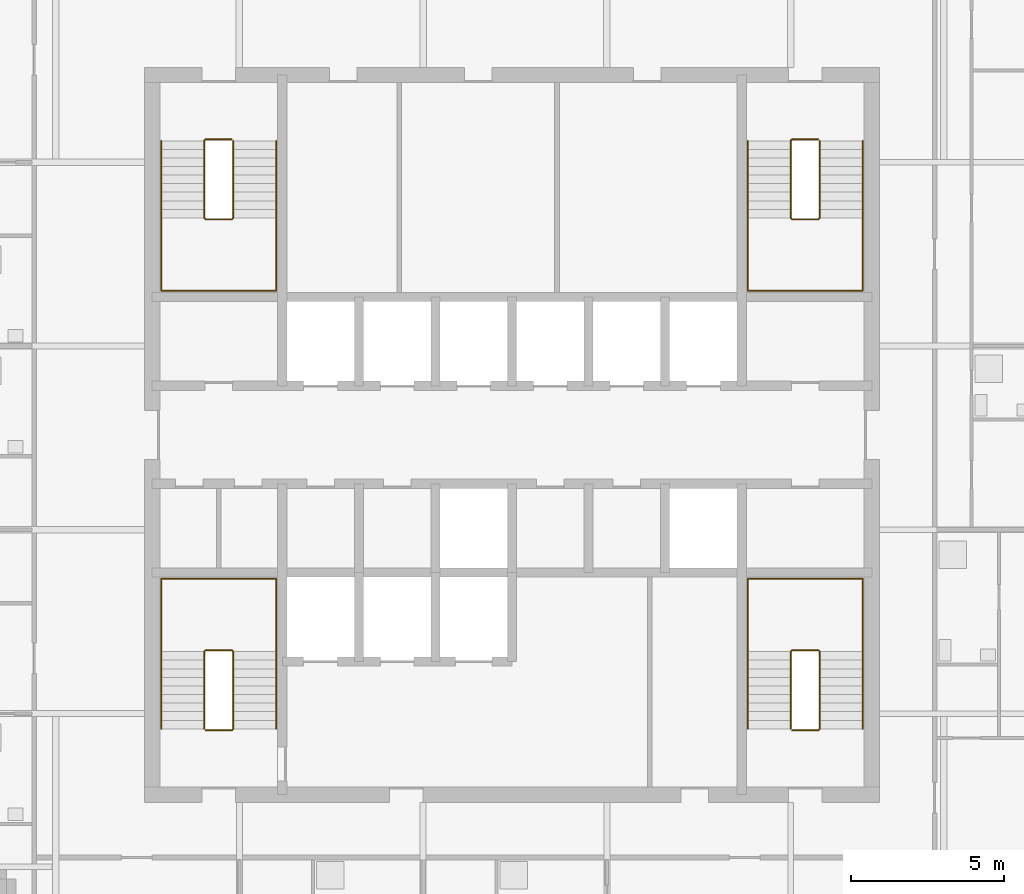
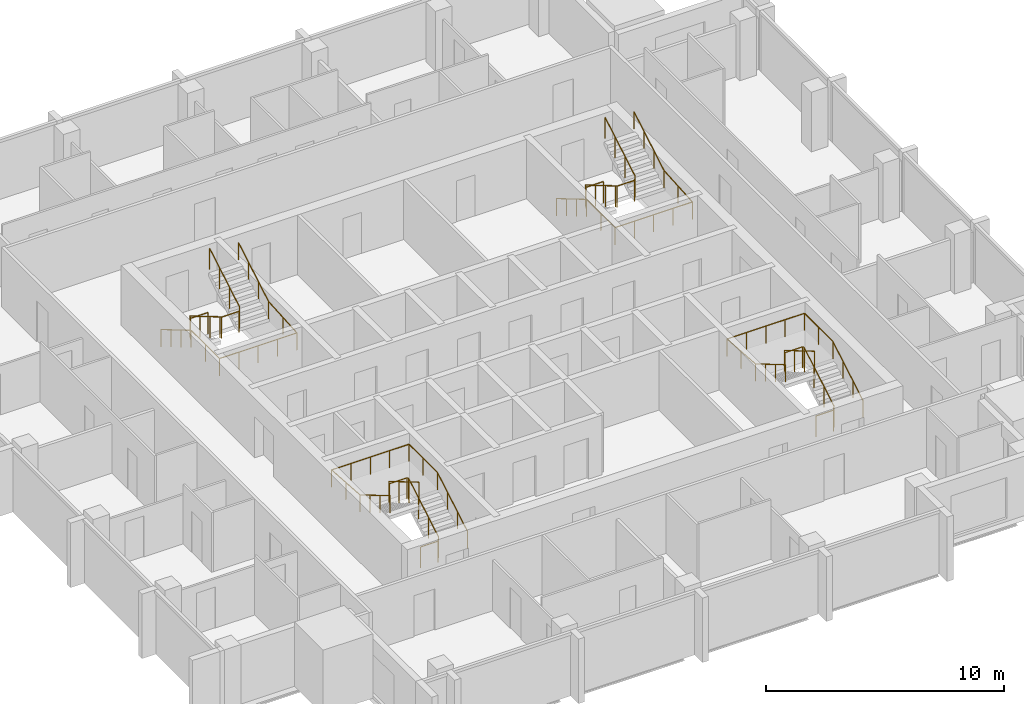
# One storey, part 8 of 9: 8 railings.
"""IFC4 building model written with IfcOpenShell, lengths in metres."""

from ifc_helpers import new_model, si_unit, direction, frame, origin, origin_2d, place, context, subcontext, project, spatial, circle, extrude, material, type_object, element, save


model = new_model("IFC4")

# Units and contexts
model_context = context("Model", 3, precision=1e-05, world=origin(), true_north=direction((0.0, 1.0)))
body_context = subcontext(model_context, "Body", "Model", "MODEL_VIEW")
ifc_project = project(units=[si_unit("LENGTHUNIT", "METRE"), si_unit("AREAUNIT", "SQUARE_METRE"), si_unit("VOLUMEUNIT", "CUBIC_METRE"), si_unit("PLANEANGLEUNIT", "RADIAN"), si_unit("MASSUNIT", "GRAM", prefix="KILO")], contexts=[model_context])

# Site, building, storey
site_placement = place(None, origin())
site = spatial("IfcSite", under=ifc_project, at=site_placement, CompositionType="ELEMENT")
building_placement = place(site_placement, origin())
building = spatial("IfcBuilding", under=site, at=building_placement, Name="Amberfall Residences", CompositionType="ELEMENT")
storey_placement = place(building_placement, frame((0.0, 0.0, 252.10009765625)))
storey = spatial("IfcBuildingStorey", under=building, at=storey_placement, Name="L67", CompositionType="ELEMENT", Elevation=252.10009765625)

# Railings
ifc_material = material(Name="Stainless steel 316", Category="steel")
railing_type_1 = type_object("IfcRailingType", Name="Stair guard 1100", PredefinedType="GUARDRAIL", material=ifc_material)
railing_1_placement = place(storey_placement, frame((64.5, 35.85009765625, 0.0)))
element("IfcRailing", 1, at=railing_1_placement, inside=storey, type_object=railing_type_1, Name="L67 stair 1 guard", PredefinedType="GUARDRAIL", context=body_context, shape_type="SweptSolid", body=[
    extrude(circle(Radius=0.02392578125, at=origin_2d()), frame((0.0, 0.0, 1.076171875), z_axis=(1.0, 0.0, 0.0), x_axis=(0.0, 1.0, 0.0)), (0.0, 0.0, 1.0), 0.85009765625),
    extrude(circle(Radius=0.02392578125, at=origin_2d()), frame((0.85009765625, 0.0, 1.076171875), z_axis=(0.277903107438, 0.277903107438, 0.919532340787), x_axis=(-0.707106781187, 0.707106781187, 0.0)), (0.0, 0.0, 1.0), 0.17919921875),
    extrude(circle(Radius=0.02392578125, at=origin_2d()), frame((0.89990234375, 0.0498046875, 1.24072265625), z_axis=(0.0, 0.86152411907, 0.507716645641), x_axis=(-1.0, 0.0, 0.0)), (0.0, 0.0, 1.0), 2.925048828125),
    extrude(circle(Radius=0.02392578125, at=origin_2d()), frame((0.89990234375, 2.56982421875, 2.72607421875), z_axis=(-0.705375805398, 0.708833529934, 0.0), x_axis=(-0.708833529934, -0.705375805398, 0.0)), (0.0, 0.0, 1.0), 0.070556640625),
    extrude(circle(Radius=0.02392578125, at=origin_2d()), frame((0.85009765625, 2.619873046875, 2.72607421875), z_axis=(-1.0, 0.0, 0.0), x_axis=(0.0, -1.0, 0.0)), (0.0, 0.0, 1.0), 0.85009765625),
    extrude(circle(Radius=0.02392578125, at=origin_2d()), frame((0.0, 2.619873046875, 2.72607421875), z_axis=(-0.278705021027, -0.278705021027, 0.919046801044), x_axis=(0.707106781187, -0.707106781187, 0.0)), (0.0, 0.0, 1.0), 0.1796875),
    extrude(circle(Radius=0.02392578125, at=origin_2d()), frame((-0.050048828125, 2.56982421875, 2.89111328125), z_axis=(0.0, -0.861560626758, 0.507654692109), x_axis=(1.0, 0.0, 0.0)), (0.0, 0.0, 1.0), 2.925048828125),
    extrude(circle(Radius=0.02099609375, at=origin_2d()), origin(), (0.0, 0.0, 1.0), 1.052001953125),
    extrude(circle(Radius=0.02099609375, at=origin_2d()), frame((0.85009765625, 0.0, 0.0)), (0.0, 0.0, 1.0), 1.052001953125),
    extrude(circle(Radius=0.02099609375, at=origin_2d()), frame((0.89990234375, 0.0498046875, 0.164794921875)), (0.0, 0.0, 1.0), 1.052001953125),
    extrude(circle(Radius=0.02099609375, at=origin_2d()), frame((0.89990234375, 0.889892578125, 0.659912109375)), (0.0, 0.0, 1.0), 1.052001953125),
    extrude(circle(Radius=0.02099609375, at=origin_2d()), frame((0.89990234375, 1.729736328125, 1.15478515625)), (0.0, 0.0, 1.0), 1.052001953125),
    extrude(circle(Radius=0.02099609375, at=origin_2d()), frame((0.89990234375, 2.56982421875, 1.64990234375)), (0.0, 0.0, 1.0), 1.052001953125),
    extrude(circle(Radius=0.02099609375, at=origin_2d()), frame((0.85009765625, 2.619873046875, 1.64990234375)), (0.0, 0.0, 1.0), 1.052001953125),
    extrude(circle(Radius=0.02099609375, at=origin_2d()), frame((0.0, 2.619873046875, 1.64990234375)), (0.0, 0.0, 1.0), 1.052001953125),
    extrude(circle(Radius=0.02099609375, at=origin_2d()), frame((-0.050048828125, 2.56982421875, 1.81494140625)), (0.0, 0.0, 1.0), 1.052001953125),
    extrude(circle(Radius=0.02099609375, at=origin_2d()), frame((-0.050048828125, 1.729736328125, 2.309814453125)), (0.0, 0.0, 1.0), 1.052001953125),
    extrude(circle(Radius=0.02099609375, at=origin_2d()), frame((-0.050048828125, 0.889892578125, 2.804931640625)), (0.0, 0.0, 1.0), 1.052001953125),
    extrude(circle(Radius=0.02099609375, at=origin_2d()), frame((-0.050048828125, 0.0498046875, 3.2998046875)), (0.0, 0.0, 1.0), 1.052001953125),
])
railing_2_placement = place(storey_placement, frame((83.64990234375, 35.85009765625, 0.0)))
element("IfcRailing", 2, at=railing_2_placement, inside=storey, type_object=railing_type_1, Name="L67 stair 2 guard", PredefinedType="GUARDRAIL", context=body_context, shape_type="SweptSolid", body=[
    extrude(circle(Radius=0.02392578125, at=origin_2d()), frame((0.0, 0.0, 1.076171875), z_axis=(1.0, 0.0, 0.0), x_axis=(0.0, 1.0, 0.0)), (0.0, 0.0, 1.0), 0.85009765625),
    extrude(circle(Radius=0.02392578125, at=origin_2d()), frame((0.85009765625, 0.0, 1.076171875), z_axis=(0.279159454702, 0.277797701265, 0.919183570361), x_axis=(-0.705375805398, 0.708833529934, 0.0)), (0.0, 0.0, 1.0), 0.17919921875),
    extrude(circle(Radius=0.02392578125, at=origin_2d()), frame((0.900146484375, 0.0498046875, 1.24072265625), z_axis=(0.0, 0.86152411907, 0.507716645641), x_axis=(-1.0, 0.0, 0.0)), (0.0, 0.0, 1.0), 2.925048828125),
    extrude(circle(Radius=0.02392578125, at=origin_2d()), frame((0.900146484375, 2.56982421875, 2.72607421875), z_axis=(-0.707106781187, 0.707106781187, 0.0), x_axis=(-0.707106781187, -0.707106781187, 0.0)), (0.0, 0.0, 1.0), 0.07080078125),
    extrude(circle(Radius=0.02392578125, at=origin_2d()), frame((0.85009765625, 2.619873046875, 2.72607421875), z_axis=(-1.0, 0.0, 0.0), x_axis=(0.0, -1.0, 0.0)), (0.0, 0.0, 1.0), 0.85009765625),
    extrude(circle(Radius=0.02392578125, at=origin_2d()), frame((0.0, 2.619873046875, 2.72607421875), z_axis=(-0.277450376394, -0.278810427259, 0.919394384522), x_axis=(0.708833529934, -0.705375805398, 0.0)), (0.0, 0.0, 1.0), 0.179443359375),
    extrude(circle(Radius=0.02392578125, at=origin_2d()), frame((-0.0498046875, 2.56982421875, 2.89111328125), z_axis=(0.0, -0.861560626758, 0.507654692109), x_axis=(1.0, 0.0, 0.0)), (0.0, 0.0, 1.0), 2.925048828125),
    extrude(circle(Radius=0.02099609375, at=origin_2d()), origin(), (0.0, 0.0, 1.0), 1.052001953125),
    extrude(circle(Radius=0.02099609375, at=origin_2d()), frame((0.85009765625, 0.0, 0.0)), (0.0, 0.0, 1.0), 1.052001953125),
    extrude(circle(Radius=0.02099609375, at=origin_2d()), frame((0.900146484375, 0.0498046875, 0.164794921875)), (0.0, 0.0, 1.0), 1.052001953125),
    extrude(circle(Radius=0.02099609375, at=origin_2d()), frame((0.900146484375, 0.889892578125, 0.659912109375)), (0.0, 0.0, 1.0), 1.052001953125),
    extrude(circle(Radius=0.02099609375, at=origin_2d()), frame((0.900146484375, 1.729736328125, 1.15478515625)), (0.0, 0.0, 1.0), 1.052001953125),
    extrude(circle(Radius=0.02099609375, at=origin_2d()), frame((0.900146484375, 2.56982421875, 1.64990234375)), (0.0, 0.0, 1.0), 1.052001953125),
    extrude(circle(Radius=0.02099609375, at=origin_2d()), frame((0.85009765625, 2.619873046875, 1.64990234375)), (0.0, 0.0, 1.0), 1.052001953125),
    extrude(circle(Radius=0.02099609375, at=origin_2d()), frame((0.0, 2.619873046875, 1.64990234375)), (0.0, 0.0, 1.0), 1.052001953125),
    extrude(circle(Radius=0.02099609375, at=origin_2d()), frame((-0.0498046875, 2.56982421875, 1.81494140625)), (0.0, 0.0, 1.0), 1.052001953125),
    extrude(circle(Radius=0.02099609375, at=origin_2d()), frame((-0.0498046875, 1.729736328125, 2.309814453125)), (0.0, 0.0, 1.0), 1.052001953125),
    extrude(circle(Radius=0.02099609375, at=origin_2d()), frame((-0.0498046875, 0.889892578125, 2.804931640625)), (0.0, 0.0, 1.0), 1.052001953125),
    extrude(circle(Radius=0.02099609375, at=origin_2d()), frame((-0.0498046875, 0.0498046875, 3.2998046875)), (0.0, 0.0, 1.0), 1.052001953125),
])
railing_3_placement = place(storey_placement, frame((84.5, 55.14990234375, 0.0)))
element("IfcRailing", 3, at=railing_3_placement, inside=storey, type_object=railing_type_1, Name="L67 stair 3 guard", PredefinedType="GUARDRAIL", context=body_context, shape_type="SweptSolid", body=[
    extrude(circle(Radius=0.02392578125, at=origin_2d()), frame((0.0, 0.0, 1.076171875), z_axis=(-1.0, 0.0, 0.0), x_axis=(0.0, -1.0, 0.0)), (0.0, 0.0, 1.0), 0.85009765625),
    extrude(circle(Radius=0.02392578125, at=origin_2d()), frame((-0.85009765625, 0.0, 1.076171875), z_axis=(-0.277903107438, -0.277903107438, 0.919532340787), x_axis=(0.707106781187, -0.707106781187, 0.0)), (0.0, 0.0, 1.0), 0.17919921875),
    extrude(circle(Radius=0.02392578125, at=origin_2d()), frame((-0.89990234375, -0.0498046875, 1.24072265625), z_axis=(0.0, -0.86152411907, 0.507716645641), x_axis=(1.0, 0.0, 0.0)), (0.0, 0.0, 1.0), 2.925048828125),
    extrude(circle(Radius=0.02392578125, at=origin_2d()), frame((-0.89990234375, -2.56982421875, 2.72607421875), z_axis=(0.705375805398, -0.708833529934, 0.0), x_axis=(0.708833529934, 0.705375805398, 0.0)), (0.0, 0.0, 1.0), 0.070556640625),
    extrude(circle(Radius=0.02392578125, at=origin_2d()), frame((-0.85009765625, -2.619873046875, 2.72607421875), z_axis=(1.0, 0.0, 0.0), x_axis=(0.0, 1.0, 0.0)), (0.0, 0.0, 1.0), 0.85009765625),
    extrude(circle(Radius=0.02392578125, at=origin_2d()), frame((0.0, -2.619873046875, 2.72607421875), z_axis=(0.278705021027, 0.278705021027, 0.919046801044), x_axis=(-0.707106781187, 0.707106781187, 0.0)), (0.0, 0.0, 1.0), 0.1796875),
    extrude(circle(Radius=0.02392578125, at=origin_2d()), frame((0.050048828125, -2.56982421875, 2.89111328125), z_axis=(0.0, 0.861560626758, 0.507654692109), x_axis=(-1.0, 0.0, 0.0)), (0.0, 0.0, 1.0), 2.925048828125),
    extrude(circle(Radius=0.02099609375, at=origin_2d()), origin(), (0.0, 0.0, 1.0), 1.052001953125),
    extrude(circle(Radius=0.02099609375, at=origin_2d()), frame((-0.85009765625, 0.0, 0.0)), (0.0, 0.0, 1.0), 1.052001953125),
    extrude(circle(Radius=0.02099609375, at=origin_2d()), frame((-0.89990234375, -0.0498046875, 0.164794921875)), (0.0, 0.0, 1.0), 1.052001953125),
    extrude(circle(Radius=0.02099609375, at=origin_2d()), frame((-0.89990234375, -0.889892578125, 0.659912109375)), (0.0, 0.0, 1.0), 1.052001953125),
    extrude(circle(Radius=0.02099609375, at=origin_2d()), frame((-0.89990234375, -1.729736328125, 1.15478515625)), (0.0, 0.0, 1.0), 1.052001953125),
    extrude(circle(Radius=0.02099609375, at=origin_2d()), frame((-0.89990234375, -2.56982421875, 1.64990234375)), (0.0, 0.0, 1.0), 1.052001953125),
    extrude(circle(Radius=0.02099609375, at=origin_2d()), frame((-0.85009765625, -2.619873046875, 1.64990234375)), (0.0, 0.0, 1.0), 1.052001953125),
    extrude(circle(Radius=0.02099609375, at=origin_2d()), frame((0.0, -2.619873046875, 1.64990234375)), (0.0, 0.0, 1.0), 1.052001953125),
    extrude(circle(Radius=0.02099609375, at=origin_2d()), frame((0.050048828125, -2.56982421875, 1.81494140625)), (0.0, 0.0, 1.0), 1.052001953125),
    extrude(circle(Radius=0.02099609375, at=origin_2d()), frame((0.050048828125, -1.729736328125, 2.309814453125)), (0.0, 0.0, 1.0), 1.052001953125),
    extrude(circle(Radius=0.02099609375, at=origin_2d()), frame((0.050048828125, -0.889892578125, 2.804931640625)), (0.0, 0.0, 1.0), 1.052001953125),
    extrude(circle(Radius=0.02099609375, at=origin_2d()), frame((0.050048828125, -0.0498046875, 3.2998046875)), (0.0, 0.0, 1.0), 1.052001953125),
])
railing_4_placement = place(storey_placement, frame((65.35009765625, 55.14990234375, 0.0)))
element("IfcRailing", 4, at=railing_4_placement, inside=storey, type_object=railing_type_1, Name="L67 stair 4 guard", PredefinedType="GUARDRAIL", context=body_context, shape_type="SweptSolid", body=[
    extrude(circle(Radius=0.02392578125, at=origin_2d()), frame((0.0, 0.0, 1.076171875), z_axis=(-1.0, 0.0, 0.0), x_axis=(0.0, -1.0, 0.0)), (0.0, 0.0, 1.0), 0.85009765625),
    extrude(circle(Radius=0.02392578125, at=origin_2d()), frame((-0.85009765625, 0.0, 1.076171875), z_axis=(-0.279159454702, -0.277797701265, 0.919183570361), x_axis=(0.705375805398, -0.708833529934, 0.0)), (0.0, 0.0, 1.0), 0.17919921875),
    extrude(circle(Radius=0.02392578125, at=origin_2d()), frame((-0.900146484375, -0.0498046875, 1.24072265625), z_axis=(0.0, -0.86152411907, 0.507716645641), x_axis=(1.0, 0.0, 0.0)), (0.0, 0.0, 1.0), 2.925048828125),
    extrude(circle(Radius=0.02392578125, at=origin_2d()), frame((-0.900146484375, -2.56982421875, 2.72607421875), z_axis=(0.707106781187, -0.707106781187, 0.0), x_axis=(0.707106781187, 0.707106781187, 0.0)), (0.0, 0.0, 1.0), 0.07080078125),
    extrude(circle(Radius=0.02392578125, at=origin_2d()), frame((-0.85009765625, -2.619873046875, 2.72607421875), z_axis=(1.0, 0.0, 0.0), x_axis=(0.0, 1.0, 0.0)), (0.0, 0.0, 1.0), 0.85009765625),
    extrude(circle(Radius=0.02392578125, at=origin_2d()), frame((0.0, -2.619873046875, 2.72607421875), z_axis=(0.277450376394, 0.278810427259, 0.919394384522), x_axis=(-0.708833529934, 0.705375805398, 0.0)), (0.0, 0.0, 1.0), 0.179443359375),
    extrude(circle(Radius=0.02392578125, at=origin_2d()), frame((0.0498046875, -2.56982421875, 2.89111328125), z_axis=(0.0, 0.861560626758, 0.507654692109), x_axis=(-1.0, 0.0, 0.0)), (0.0, 0.0, 1.0), 2.925048828125),
    extrude(circle(Radius=0.02099609375, at=origin_2d()), origin(), (0.0, 0.0, 1.0), 1.052001953125),
    extrude(circle(Radius=0.02099609375, at=origin_2d()), frame((-0.85009765625, 0.0, 0.0)), (0.0, 0.0, 1.0), 1.052001953125),
    extrude(circle(Radius=0.02099609375, at=origin_2d()), frame((-0.900146484375, -0.0498046875, 0.164794921875)), (0.0, 0.0, 1.0), 1.052001953125),
    extrude(circle(Radius=0.02099609375, at=origin_2d()), frame((-0.900146484375, -0.889892578125, 0.659912109375)), (0.0, 0.0, 1.0), 1.052001953125),
    extrude(circle(Radius=0.02099609375, at=origin_2d()), frame((-0.900146484375, -1.729736328125, 1.15478515625)), (0.0, 0.0, 1.0), 1.052001953125),
    extrude(circle(Radius=0.02099609375, at=origin_2d()), frame((-0.900146484375, -2.56982421875, 1.64990234375)), (0.0, 0.0, 1.0), 1.052001953125),
    extrude(circle(Radius=0.02099609375, at=origin_2d()), frame((-0.85009765625, -2.619873046875, 1.64990234375)), (0.0, 0.0, 1.0), 1.052001953125),
    extrude(circle(Radius=0.02099609375, at=origin_2d()), frame((0.0, -2.619873046875, 1.64990234375)), (0.0, 0.0, 1.0), 1.052001953125),
    extrude(circle(Radius=0.02099609375, at=origin_2d()), frame((0.0498046875, -2.56982421875, 1.81494140625)), (0.0, 0.0, 1.0), 1.052001953125),
    extrude(circle(Radius=0.02099609375, at=origin_2d()), frame((0.0498046875, -1.729736328125, 2.309814453125)), (0.0, 0.0, 1.0), 1.052001953125),
    extrude(circle(Radius=0.02099609375, at=origin_2d()), frame((0.0498046875, -0.889892578125, 2.804931640625)), (0.0, 0.0, 1.0), 1.052001953125),
    extrude(circle(Radius=0.02099609375, at=origin_2d()), frame((0.0498046875, -0.0498046875, 3.2998046875)), (0.0, 0.0, 1.0), 1.052001953125),
])
railing_type_2 = type_object("IfcRailingType", Name="Stair handrail 900", PredefinedType="HANDRAIL", material=ifc_material)
railing_5_placement = place(storey_placement, frame((66.800048828125, 35.89990234375, 0.164794921875)))
element("IfcRailing", 5, at=railing_5_placement, inside=storey, type_object=railing_type_2, Name="L67 stair 1 handrail", PredefinedType="HANDRAIL", context=body_context, shape_type="SweptSolid", body=[
    extrude(circle(Radius=0.02392578125, at=origin_2d()), frame((0.0, 0.0, 0.8759765625), z_axis=(0.0, 0.86152411907, 0.507716645641), x_axis=(-1.0, 0.0, 0.0)), (0.0, 0.0, 1.0), 2.925048828125),
    extrude(circle(Radius=0.02392578125, at=origin_2d()), frame((0.0, 2.52001953125, 2.36083984375), z_axis=(0.0, 1.0, 0.0), x_axis=(-1.0, 0.0, 0.0)), (0.0, 0.0, 1.0), 2.380126953125),
    extrude(circle(Radius=0.02392578125, at=origin_2d()), frame((0.0, 4.900146484375, 2.36083984375), z_axis=(-1.0, 0.0, 0.0), x_axis=(0.0, -1.0, 0.0)), (0.0, 0.0, 1.0), 3.75),
    extrude(circle(Radius=0.02392578125, at=origin_2d()), frame((-3.75, 4.900146484375, 2.36083984375), z_axis=(0.0, -0.997604585917, 0.069174346095), x_axis=(1.0, 0.0, 0.0)), (0.0, 0.0, 1.0), 2.3857421875),
    extrude(circle(Radius=0.02392578125, at=origin_2d()), frame((-3.75, 2.52001953125, 2.52587890625), z_axis=(0.0, -0.861560626758, 0.507654692109), x_axis=(1.0, 0.0, 0.0)), (0.0, 0.0, 1.0), 2.925048828125),
    extrude(circle(Radius=0.02099609375, at=origin_2d()), origin(), (0.0, 0.0, 1.0), 0.851806640625),
    extrude(circle(Radius=0.02099609375, at=origin_2d()), frame((0.0, 0.840087890625, 0.4951171875)), (0.0, 0.0, 1.0), 0.851806640625),
    extrude(circle(Radius=0.02099609375, at=origin_2d()), frame((0.0, 1.679931640625, 0.989990234375)), (0.0, 0.0, 1.0), 0.851806640625),
    extrude(circle(Radius=0.02099609375, at=origin_2d()), frame((0.0, 2.52001953125, 1.485107421875)), (0.0, 0.0, 1.0), 0.851806640625),
    extrude(circle(Radius=0.02099609375, at=origin_2d()), frame((0.0, 3.7099609375, 1.485107421875)), (0.0, 0.0, 1.0), 0.851806640625),
    extrude(circle(Radius=0.02099609375, at=origin_2d()), frame((0.0, 4.900146484375, 1.485107421875)), (0.0, 0.0, 1.0), 0.851806640625),
    extrude(circle(Radius=0.02099609375, at=origin_2d()), frame((-0.9375, 4.900146484375, 1.485107421875)), (0.0, 0.0, 1.0), 0.851806640625),
    extrude(circle(Radius=0.02099609375, at=origin_2d()), frame((-1.875, 4.900146484375, 1.485107421875)), (0.0, 0.0, 1.0), 0.851806640625),
    extrude(circle(Radius=0.02099609375, at=origin_2d()), frame((-2.8125, 4.900146484375, 1.485107421875)), (0.0, 0.0, 1.0), 0.851806640625),
    extrude(circle(Radius=0.02099609375, at=origin_2d()), frame((-3.75, 4.900146484375, 1.485107421875)), (0.0, 0.0, 1.0), 0.851806640625),
    extrude(circle(Radius=0.02099609375, at=origin_2d()), frame((-3.75, 3.7099609375, 1.567626953125)), (0.0, 0.0, 1.0), 0.851806640625),
    extrude(circle(Radius=0.02099609375, at=origin_2d()), frame((-3.75, 2.52001953125, 1.650146484375)), (0.0, 0.0, 1.0), 0.851806640625),
    extrude(circle(Radius=0.02099609375, at=origin_2d()), frame((-3.75, 1.679931640625, 2.14501953125)), (0.0, 0.0, 1.0), 0.851806640625),
    extrude(circle(Radius=0.02099609375, at=origin_2d()), frame((-3.75, 0.840087890625, 2.64013671875)), (0.0, 0.0, 1.0), 0.851806640625),
    extrude(circle(Radius=0.02099609375, at=origin_2d()), frame((-3.75, 0.0, 3.135009765625)), (0.0, 0.0, 1.0), 0.851806640625),
])
railing_6_placement = place(storey_placement, frame((85.949951171875, 35.89990234375, 0.164794921875)))
element("IfcRailing", 6, at=railing_6_placement, inside=storey, type_object=railing_type_2, Name="L67 stair 2 handrail", PredefinedType="HANDRAIL", context=body_context, shape_type="SweptSolid", body=[
    extrude(circle(Radius=0.02392578125, at=origin_2d()), frame((0.0, 0.0, 0.8759765625), z_axis=(0.0, 0.86152411907, 0.507716645641), x_axis=(-1.0, 0.0, 0.0)), (0.0, 0.0, 1.0), 2.925048828125),
    extrude(circle(Radius=0.02392578125, at=origin_2d()), frame((0.0, 2.52001953125, 2.36083984375), z_axis=(0.0, 1.0, 0.0), x_axis=(-1.0, 0.0, 0.0)), (0.0, 0.0, 1.0), 2.380126953125),
    extrude(circle(Radius=0.02392578125, at=origin_2d()), frame((0.0, 4.900146484375, 2.36083984375), z_axis=(-1.0, 0.0, 0.0), x_axis=(0.0, -1.0, 0.0)), (0.0, 0.0, 1.0), 3.75),
    extrude(circle(Radius=0.02392578125, at=origin_2d()), frame((-3.75, 4.900146484375, 2.36083984375), z_axis=(0.0, -0.997604585917, 0.069174346095), x_axis=(1.0, 0.0, 0.0)), (0.0, 0.0, 1.0), 2.3857421875),
    extrude(circle(Radius=0.02392578125, at=origin_2d()), frame((-3.75, 2.52001953125, 2.52587890625), z_axis=(0.0, -0.861560626758, 0.507654692109), x_axis=(1.0, 0.0, 0.0)), (0.0, 0.0, 1.0), 2.925048828125),
    extrude(circle(Radius=0.02099609375, at=origin_2d()), origin(), (0.0, 0.0, 1.0), 0.851806640625),
    extrude(circle(Radius=0.02099609375, at=origin_2d()), frame((0.0, 0.840087890625, 0.4951171875)), (0.0, 0.0, 1.0), 0.851806640625),
    extrude(circle(Radius=0.02099609375, at=origin_2d()), frame((0.0, 1.679931640625, 0.989990234375)), (0.0, 0.0, 1.0), 0.851806640625),
    extrude(circle(Radius=0.02099609375, at=origin_2d()), frame((0.0, 2.52001953125, 1.485107421875)), (0.0, 0.0, 1.0), 0.851806640625),
    extrude(circle(Radius=0.02099609375, at=origin_2d()), frame((0.0, 3.7099609375, 1.485107421875)), (0.0, 0.0, 1.0), 0.851806640625),
    extrude(circle(Radius=0.02099609375, at=origin_2d()), frame((0.0, 4.900146484375, 1.485107421875)), (0.0, 0.0, 1.0), 0.851806640625),
    extrude(circle(Radius=0.02099609375, at=origin_2d()), frame((-0.9375, 4.900146484375, 1.485107421875)), (0.0, 0.0, 1.0), 0.851806640625),
    extrude(circle(Radius=0.02099609375, at=origin_2d()), frame((-1.875, 4.900146484375, 1.485107421875)), (0.0, 0.0, 1.0), 0.851806640625),
    extrude(circle(Radius=0.02099609375, at=origin_2d()), frame((-2.8125, 4.900146484375, 1.485107421875)), (0.0, 0.0, 1.0), 0.851806640625),
    extrude(circle(Radius=0.02099609375, at=origin_2d()), frame((-3.75, 4.900146484375, 1.485107421875)), (0.0, 0.0, 1.0), 0.851806640625),
    extrude(circle(Radius=0.02099609375, at=origin_2d()), frame((-3.75, 3.7099609375, 1.567626953125)), (0.0, 0.0, 1.0), 0.851806640625),
    extrude(circle(Radius=0.02099609375, at=origin_2d()), frame((-3.75, 2.52001953125, 1.650146484375)), (0.0, 0.0, 1.0), 0.851806640625),
    extrude(circle(Radius=0.02099609375, at=origin_2d()), frame((-3.75, 1.679931640625, 2.14501953125)), (0.0, 0.0, 1.0), 0.851806640625),
    extrude(circle(Radius=0.02099609375, at=origin_2d()), frame((-3.75, 0.840087890625, 2.64013671875)), (0.0, 0.0, 1.0), 0.851806640625),
    extrude(circle(Radius=0.02099609375, at=origin_2d()), frame((-3.75, 0.0, 3.135009765625)), (0.0, 0.0, 1.0), 0.851806640625),
])
railing_7_placement = place(storey_placement, frame((82.199951171875, 55.10009765625, 0.164794921875)))
element("IfcRailing", 7, at=railing_7_placement, inside=storey, type_object=railing_type_2, Name="L67 stair 3 handrail", PredefinedType="HANDRAIL", context=body_context, shape_type="SweptSolid", body=[
    extrude(circle(Radius=0.02392578125, at=origin_2d()), frame((0.0, 0.0, 0.8759765625), z_axis=(0.0, -0.86152411907, 0.507716645641), x_axis=(1.0, 0.0, 0.0)), (0.0, 0.0, 1.0), 2.925048828125),
    extrude(circle(Radius=0.02392578125, at=origin_2d()), frame((0.0, -2.52001953125, 2.36083984375), z_axis=(0.0, -1.0, 0.0), x_axis=(1.0, 0.0, 0.0)), (0.0, 0.0, 1.0), 2.380126953125),
    extrude(circle(Radius=0.02392578125, at=origin_2d()), frame((0.0, -4.900146484375, 2.36083984375), z_axis=(1.0, 0.0, 0.0), x_axis=(0.0, 1.0, 0.0)), (0.0, 0.0, 1.0), 3.75),
    extrude(circle(Radius=0.02392578125, at=origin_2d()), frame((3.75, -4.900146484375, 2.36083984375), z_axis=(0.0, 0.997604585917, 0.069174346095), x_axis=(-1.0, 0.0, 0.0)), (0.0, 0.0, 1.0), 2.3857421875),
    extrude(circle(Radius=0.02392578125, at=origin_2d()), frame((3.75, -2.52001953125, 2.52587890625), z_axis=(0.0, 0.861560626758, 0.507654692109), x_axis=(-1.0, 0.0, 0.0)), (0.0, 0.0, 1.0), 2.925048828125),
    extrude(circle(Radius=0.02099609375, at=origin_2d()), origin(), (0.0, 0.0, 1.0), 0.851806640625),
    extrude(circle(Radius=0.02099609375, at=origin_2d()), frame((0.0, -0.840087890625, 0.4951171875)), (0.0, 0.0, 1.0), 0.851806640625),
    extrude(circle(Radius=0.02099609375, at=origin_2d()), frame((0.0, -1.679931640625, 0.989990234375)), (0.0, 0.0, 1.0), 0.851806640625),
    extrude(circle(Radius=0.02099609375, at=origin_2d()), frame((0.0, -2.52001953125, 1.485107421875)), (0.0, 0.0, 1.0), 0.851806640625),
    extrude(circle(Radius=0.02099609375, at=origin_2d()), frame((0.0, -3.7099609375, 1.485107421875)), (0.0, 0.0, 1.0), 0.851806640625),
    extrude(circle(Radius=0.02099609375, at=origin_2d()), frame((0.0, -4.900146484375, 1.485107421875)), (0.0, 0.0, 1.0), 0.851806640625),
    extrude(circle(Radius=0.02099609375, at=origin_2d()), frame((0.9375, -4.900146484375, 1.485107421875)), (0.0, 0.0, 1.0), 0.851806640625),
    extrude(circle(Radius=0.02099609375, at=origin_2d()), frame((1.875, -4.900146484375, 1.485107421875)), (0.0, 0.0, 1.0), 0.851806640625),
    extrude(circle(Radius=0.02099609375, at=origin_2d()), frame((2.8125, -4.900146484375, 1.485107421875)), (0.0, 0.0, 1.0), 0.851806640625),
    extrude(circle(Radius=0.02099609375, at=origin_2d()), frame((3.75, -4.900146484375, 1.485107421875)), (0.0, 0.0, 1.0), 0.851806640625),
    extrude(circle(Radius=0.02099609375, at=origin_2d()), frame((3.75, -3.7099609375, 1.567626953125)), (0.0, 0.0, 1.0), 0.851806640625),
    extrude(circle(Radius=0.02099609375, at=origin_2d()), frame((3.75, -2.52001953125, 1.650146484375)), (0.0, 0.0, 1.0), 0.851806640625),
    extrude(circle(Radius=0.02099609375, at=origin_2d()), frame((3.75, -1.679931640625, 2.14501953125)), (0.0, 0.0, 1.0), 0.851806640625),
    extrude(circle(Radius=0.02099609375, at=origin_2d()), frame((3.75, -0.840087890625, 2.64013671875)), (0.0, 0.0, 1.0), 0.851806640625),
    extrude(circle(Radius=0.02099609375, at=origin_2d()), frame((3.75, 0.0, 3.135009765625)), (0.0, 0.0, 1.0), 0.851806640625),
])
railing_8_placement = place(storey_placement, frame((63.050048828125, 55.10009765625, 0.164794921875)))
element("IfcRailing", 8, at=railing_8_placement, inside=storey, type_object=railing_type_2, Name="L67 stair 4 handrail", PredefinedType="HANDRAIL", context=body_context, shape_type="SweptSolid", body=[
    extrude(circle(Radius=0.02392578125, at=origin_2d()), frame((0.0, 0.0, 0.8759765625), z_axis=(0.0, -0.86152411907, 0.507716645641), x_axis=(1.0, 0.0, 0.0)), (0.0, 0.0, 1.0), 2.925048828125),
    extrude(circle(Radius=0.02392578125, at=origin_2d()), frame((0.0, -2.52001953125, 2.36083984375), z_axis=(0.0, -1.0, 0.0), x_axis=(1.0, 0.0, 0.0)), (0.0, 0.0, 1.0), 2.380126953125),
    extrude(circle(Radius=0.02392578125, at=origin_2d()), frame((0.0, -4.900146484375, 2.36083984375), z_axis=(1.0, 0.0, 0.0), x_axis=(0.0, 1.0, 0.0)), (0.0, 0.0, 1.0), 3.75),
    extrude(circle(Radius=0.02392578125, at=origin_2d()), frame((3.75, -4.900146484375, 2.36083984375), z_axis=(0.0, 0.997604585917, 0.069174346095), x_axis=(-1.0, 0.0, 0.0)), (0.0, 0.0, 1.0), 2.3857421875),
    extrude(circle(Radius=0.02392578125, at=origin_2d()), frame((3.75, -2.52001953125, 2.52587890625), z_axis=(0.0, 0.861560626758, 0.507654692109), x_axis=(-1.0, 0.0, 0.0)), (0.0, 0.0, 1.0), 2.925048828125),
    extrude(circle(Radius=0.02099609375, at=origin_2d()), origin(), (0.0, 0.0, 1.0), 0.851806640625),
    extrude(circle(Radius=0.02099609375, at=origin_2d()), frame((0.0, -0.840087890625, 0.4951171875)), (0.0, 0.0, 1.0), 0.851806640625),
    extrude(circle(Radius=0.02099609375, at=origin_2d()), frame((0.0, -1.679931640625, 0.989990234375)), (0.0, 0.0, 1.0), 0.851806640625),
    extrude(circle(Radius=0.02099609375, at=origin_2d()), frame((0.0, -2.52001953125, 1.485107421875)), (0.0, 0.0, 1.0), 0.851806640625),
    extrude(circle(Radius=0.02099609375, at=origin_2d()), frame((0.0, -3.7099609375, 1.485107421875)), (0.0, 0.0, 1.0), 0.851806640625),
    extrude(circle(Radius=0.02099609375, at=origin_2d()), frame((0.0, -4.900146484375, 1.485107421875)), (0.0, 0.0, 1.0), 0.851806640625),
    extrude(circle(Radius=0.02099609375, at=origin_2d()), frame((0.9375, -4.900146484375, 1.485107421875)), (0.0, 0.0, 1.0), 0.851806640625),
    extrude(circle(Radius=0.02099609375, at=origin_2d()), frame((1.875, -4.900146484375, 1.485107421875)), (0.0, 0.0, 1.0), 0.851806640625),
    extrude(circle(Radius=0.02099609375, at=origin_2d()), frame((2.8125, -4.900146484375, 1.485107421875)), (0.0, 0.0, 1.0), 0.851806640625),
    extrude(circle(Radius=0.02099609375, at=origin_2d()), frame((3.75, -4.900146484375, 1.485107421875)), (0.0, 0.0, 1.0), 0.851806640625),
    extrude(circle(Radius=0.02099609375, at=origin_2d()), frame((3.75, -3.7099609375, 1.567626953125)), (0.0, 0.0, 1.0), 0.851806640625),
    extrude(circle(Radius=0.02099609375, at=origin_2d()), frame((3.75, -2.52001953125, 1.650146484375)), (0.0, 0.0, 1.0), 0.851806640625),
    extrude(circle(Radius=0.02099609375, at=origin_2d()), frame((3.75, -1.679931640625, 2.14501953125)), (0.0, 0.0, 1.0), 0.851806640625),
    extrude(circle(Radius=0.02099609375, at=origin_2d()), frame((3.75, -0.840087890625, 2.64013671875)), (0.0, 0.0, 1.0), 0.851806640625),
    extrude(circle(Radius=0.02099609375, at=origin_2d()), frame((3.75, 0.0, 3.135009765625)), (0.0, 0.0, 1.0), 0.851806640625),
])

save(model, "model.ifc")
